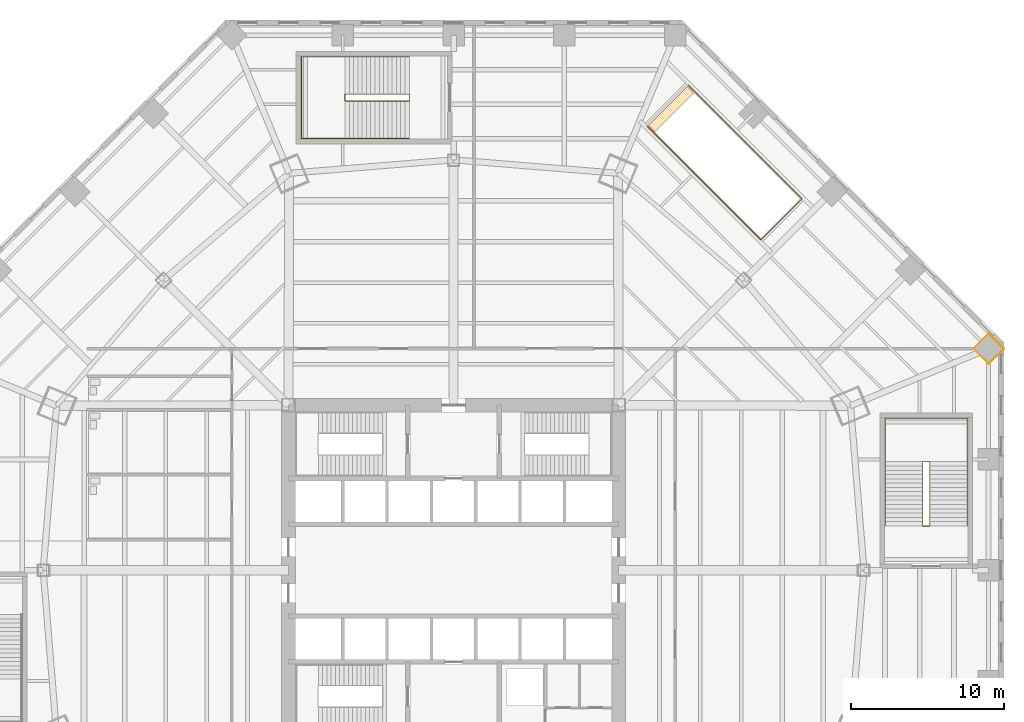
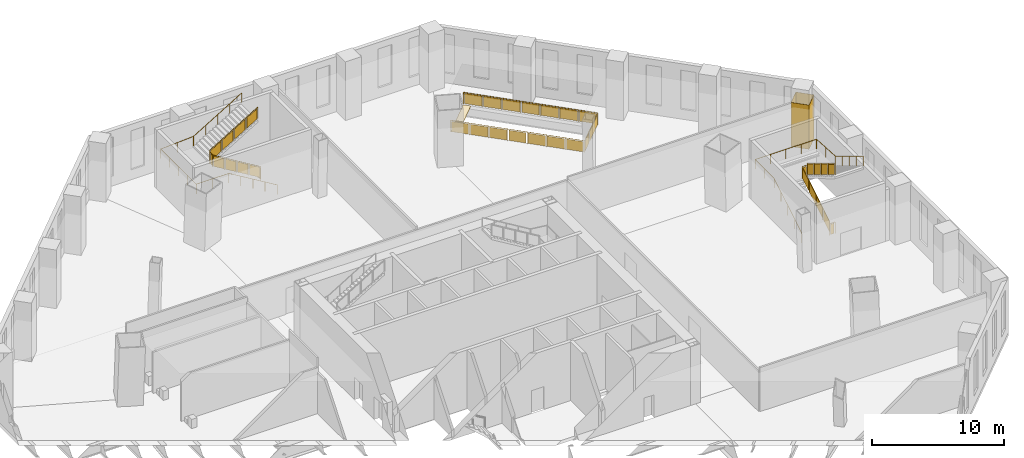
# One storey, part 17 of 18: 5 railings, 2 coverings.
"""IFC4 building model written with IfcOpenShell, lengths in metres."""

from ifc_helpers import new_model, si_unit, direction, frame, origin, origin_2d, place, context, subcontext, project, spatial, polyline, circle, outline, extrude, material, layer, layer_set, type_object, element, save


model = new_model("IFC4")

# Units and contexts
model_context = context("Model", 3, precision=1e-05, world=origin(), true_north=direction((0.0, 1.0)))
body_context = subcontext(model_context, "Body", "Model", "MODEL_VIEW")
ifc_project = project(units=[si_unit("LENGTHUNIT", "METRE"), si_unit("AREAUNIT", "SQUARE_METRE"), si_unit("VOLUMEUNIT", "CUBIC_METRE"), si_unit("PLANEANGLEUNIT", "RADIAN"), si_unit("MASSUNIT", "GRAM", prefix="KILO")], contexts=[model_context])

# Site, building, storey
site_placement = place(None, origin())
site = spatial("IfcSite", under=ifc_project, at=site_placement, CompositionType="ELEMENT")
building_placement = place(site_placement, origin())
building = spatial("IfcBuilding", under=site, at=building_placement, Name="Mashrafa Tower", CompositionType="ELEMENT")
storey_placement = place(building_placement, frame((0.0, 0.0, 13.199951171875)))
storey = spatial("IfcBuildingStorey", under=building, at=storey_placement, Name="L02", CompositionType="ELEMENT", Elevation=13.199951171875)

# Coverings
ifc_material_1 = material(Name="Gypsum board")
ifc_layer_1 = layer(ifc_material_1, 0.014892578125)
ifc_layer_set_1 = layer_set([ifc_layer_1], Name="Column casing plasterboard 15")
covering_type_1 = type_object("IfcCoveringType", Name="Column casing plasterboard 15", PredefinedType="CLADDING", material=ifc_layer_set_1)
covering_1_placement = place(storey_placement, origin())
element("IfcCovering", 1, at=covering_1_placement, inside=storey, type_object=covering_type_1, Name="Column casing L02-001", PredefinedType="CLADDING", context=body_context, shape_type="SweptSolid", body=[
    extrude(outline(polyline([(33.98876953125, 14.49755859375), (35.0, 15.508544921875), (36.01123046875, 14.49755859375), (35.0, 13.486328125), (33.98876953125, 14.49755859375)]), holes=[polyline([(35.989990234375, 14.49755859375), (35.0, 15.4873046875), (34.010009765625, 14.49755859375), (35.0, 13.507568359375), (35.989990234375, 14.49755859375)])]), origin(), (0.0, 0.0, 1.0), 4.0791015625),
])
ifc_material_2 = material(Name="Stainless steel chequer plate flooring", Category="steel")
ifc_layer_2 = layer(ifc_material_2, 0.050048828125)
ifc_layer_set_2 = layer_set([ifc_layer_2], Name="Escalator landing plate 50")
covering_type_2 = type_object("IfcCoveringType", Name="Escalator landing plate 50", PredefinedType="FLOORING", material=ifc_layer_set_2)
covering_2_placement = place(storey_placement, frame((0.0, 0.0, -0.050048828125)))
element("IfcCovering", 2, at=covering_2_placement, inside=storey, type_object=covering_type_2, Name="Escalator landing plate L02", PredefinedType="FLOORING", context=body_context, shape_type="SweptSolid", body=[
    extrude(outline(polyline([(13.1787109375, 28.681884765625), (15.724365234375, 31.2275390625), (15.30029296875, 31.651611328125), (12.754638671875, 29.106201171875), (13.1787109375, 28.681884765625)])), origin(), (0.0, 0.0, 1.0), 0.050048828125),
])

# Railings
ifc_material_3 = material(Name="Steel guard with glass infill", Category="steel")
railing_type_1 = type_object("IfcRailingType", Name="Opening guard 1100", PredefinedType="GUARDRAIL", material=ifc_material_3)
railing_1_placement = place(storey_placement, frame((12.683837890625, 29.035400390625, 0.0)))
element("IfcRailing", 3, at=railing_1_placement, inside=storey, type_object=railing_type_1, Name="Escalator opening guard L02", PredefinedType="GUARDRAIL", context=body_context, shape_type="SweptSolid", body=[
    extrude(circle(Radius=0.02392578125, at=origin_2d()), frame((0.0, 0.0, 1.076171875), z_axis=(0.707106781187, -0.707106781187, 0.0), x_axis=(0.707106781187, 0.707106781187, 0.0)), (0.0, 0.0, 1.0), 10.492431640625),
    extrude(circle(Radius=0.02392578125, at=origin_2d()), frame((7.419189453125, -7.419189453125, 1.076171875), z_axis=(0.707106781187, 0.707106781187, 0.0), x_axis=(-0.707106781187, 0.707106781187, 0.0)), (0.0, 0.0, 1.0), 3.800048828125),
    extrude(circle(Radius=0.02392578125, at=origin_2d()), frame((10.106201171875, -4.732177734375, 1.076171875), z_axis=(-0.707106781187, 0.707106781187, 0.0), x_axis=(-0.707106781187, -0.707106781187, 0.0)), (0.0, 0.0, 1.0), 10.492431640625),
    extrude(circle(Radius=0.02099609375, at=origin_2d()), origin(), (0.0, 0.0, 1.0), 1.052001953125),
    extrude(circle(Radius=0.02099609375, at=origin_2d()), frame((1.059814453125, -1.059814453125, 0.0)), (0.0, 0.0, 1.0), 1.052001953125),
    extrude(circle(Radius=0.02099609375, at=origin_2d()), frame((2.119873046875, -2.119873046875, 0.0)), (0.0, 0.0, 1.0), 1.052001953125),
    extrude(circle(Radius=0.02099609375, at=origin_2d()), frame((3.1796875, -3.1796875, 0.0)), (0.0, 0.0, 1.0), 1.052001953125),
    extrude(circle(Radius=0.02099609375, at=origin_2d()), frame((4.239501953125, -4.239501953125, 0.0)), (0.0, 0.0, 1.0), 1.052001953125),
    extrude(circle(Radius=0.02099609375, at=origin_2d()), frame((5.29931640625, -5.29931640625, 0.0)), (0.0, 0.0, 1.0), 1.052001953125),
    extrude(circle(Radius=0.02099609375, at=origin_2d()), frame((6.359375, -6.359375, 0.0)), (0.0, 0.0, 1.0), 1.052001953125),
    extrude(circle(Radius=0.02099609375, at=origin_2d()), frame((7.419189453125, -7.419189453125, 0.0)), (0.0, 0.0, 1.0), 1.052001953125),
    extrude(circle(Radius=0.02099609375, at=origin_2d()), frame((8.31494140625, -6.5234375, 0.0)), (0.0, 0.0, 1.0), 1.052001953125),
    extrude(circle(Radius=0.02099609375, at=origin_2d()), frame((9.21044921875, -5.6279296875, 0.0)), (0.0, 0.0, 1.0), 1.052001953125),
    extrude(circle(Radius=0.02099609375, at=origin_2d()), frame((10.106201171875, -4.732177734375, 0.0)), (0.0, 0.0, 1.0), 1.052001953125),
    extrude(circle(Radius=0.02099609375, at=origin_2d()), frame((9.04638671875, -3.67236328125, 0.0)), (0.0, 0.0, 1.0), 1.052001953125),
    extrude(circle(Radius=0.02099609375, at=origin_2d()), frame((7.986328125, -2.6123046875, 0.0)), (0.0, 0.0, 1.0), 1.052001953125),
    extrude(circle(Radius=0.02099609375, at=origin_2d()), frame((6.926513671875, -1.552490234375, 0.0)), (0.0, 0.0, 1.0), 1.052001953125),
    extrude(circle(Radius=0.02099609375, at=origin_2d()), frame((5.86669921875, -0.49267578125, 0.0)), (0.0, 0.0, 1.0), 1.052001953125),
    extrude(circle(Radius=0.02099609375, at=origin_2d()), frame((4.806884765625, 0.567138671875, 0.0)), (0.0, 0.0, 1.0), 1.052001953125),
    extrude(circle(Radius=0.02099609375, at=origin_2d()), frame((3.746826171875, 1.627197265625, 0.0)), (0.0, 0.0, 1.0), 1.052001953125),
    extrude(circle(Radius=0.02099609375, at=origin_2d()), frame((2.68701171875, 2.68701171875, 0.0)), (0.0, 0.0, 1.0), 1.052001953125),
    extrude(outline(polyline([(0.071044921875, 0.050048828125), (1.427978515625, 0.050048828125), (1.427978515625, 1.001953125), (0.071044921875, 1.001953125), (0.071044921875, 0.050048828125)])), frame((-0.004150390625, -0.004150390625, 0.0), z_axis=(-0.707106781187, -0.707106781187, 0.0), x_axis=(0.707106781187, -0.707106781187, 0.0)), (0.0, 0.0, 1.0), 0.011962890625),
    extrude(outline(polyline([(1.56982421875, 0.050048828125), (2.9267578125, 0.050048828125), (2.9267578125, 1.001953125), (1.56982421875, 1.001953125), (1.56982421875, 0.050048828125)])), frame((-0.004150390625, -0.004150390625, 0.0), z_axis=(-0.707106781187, -0.707106781187, 0.0), x_axis=(0.707106781187, -0.707106781187, 0.0)), (0.0, 0.0, 1.0), 0.011962890625),
    extrude(outline(polyline([(3.06884765625, 0.050048828125), (4.42578125, 0.050048828125), (4.42578125, 1.001953125), (3.06884765625, 1.001953125), (3.06884765625, 0.050048828125)])), frame((-0.004150390625, -0.004150390625, 0.0), z_axis=(-0.707106781187, -0.707106781187, 0.0), x_axis=(0.707106781187, -0.707106781187, 0.0)), (0.0, 0.0, 1.0), 0.011962890625),
    extrude(outline(polyline([(4.567626953125, 0.050048828125), (5.924560546875, 0.050048828125), (5.924560546875, 1.001953125), (4.567626953125, 1.001953125), (4.567626953125, 0.050048828125)])), frame((-0.004150390625, -0.004150390625, 0.0), z_axis=(-0.707106781187, -0.707106781187, 0.0), x_axis=(0.707106781187, -0.707106781187, 0.0)), (0.0, 0.0, 1.0), 0.011962890625),
    extrude(outline(polyline([(6.066650390625, 0.050048828125), (7.423583984375, 0.050048828125), (7.423583984375, 1.001953125), (6.066650390625, 1.001953125), (6.066650390625, 0.050048828125)])), frame((-0.004150390625, -0.004150390625, 0.0), z_axis=(-0.707106781187, -0.707106781187, 0.0), x_axis=(0.707106781187, -0.707106781187, 0.0)), (0.0, 0.0, 1.0), 0.011962890625),
    extrude(outline(polyline([(7.5654296875, 0.050048828125), (8.92236328125, 0.050048828125), (8.92236328125, 1.001953125), (7.5654296875, 1.001953125), (7.5654296875, 0.050048828125)])), frame((-0.004150390625, -0.004150390625, 0.0), z_axis=(-0.707106781187, -0.707106781187, 0.0), x_axis=(0.707106781187, -0.707106781187, 0.0)), (0.0, 0.0, 1.0), 0.011962890625),
    extrude(outline(polyline([(9.064453125, 0.050048828125), (10.42138671875, 0.050048828125), (10.42138671875, 1.001953125), (9.064453125, 1.001953125), (9.064453125, 0.050048828125)])), frame((-0.004150390625, -0.004150390625, 0.0), z_axis=(-0.707106781187, -0.707106781187, 0.0), x_axis=(0.707106781187, -0.707106781187, 0.0)), (0.0, 0.0, 1.0), 0.011962890625),
    extrude(outline(polyline([(0.071044921875, 0.050048828125), (1.195556640625, 0.050048828125), (1.195556640625, 1.001953125), (0.071044921875, 1.001953125), (0.071044921875, 0.050048828125)])), frame((7.42333984375, -7.42333984375, 0.0), z_axis=(0.707106781187, -0.707106781187, 0.0), x_axis=(0.707106781187, 0.707106781187, 0.0)), (0.0, 0.0, 1.0), 0.011962890625),
    extrude(outline(polyline([(1.337646484375, 0.050048828125), (2.46240234375, 0.050048828125), (2.46240234375, 1.001953125), (1.337646484375, 1.001953125), (1.337646484375, 0.050048828125)])), frame((7.42333984375, -7.42333984375, 0.0), z_axis=(0.707106781187, -0.707106781187, 0.0), x_axis=(0.707106781187, 0.707106781187, 0.0)), (0.0, 0.0, 1.0), 0.011962890625),
    extrude(outline(polyline([(2.604248046875, 0.050048828125), (3.72900390625, 0.050048828125), (3.72900390625, 1.001953125), (2.604248046875, 1.001953125), (2.604248046875, 0.050048828125)])), frame((7.42333984375, -7.42333984375, 0.0), z_axis=(0.707106781187, -0.707106781187, 0.0), x_axis=(0.707106781187, 0.707106781187, 0.0)), (0.0, 0.0, 1.0), 0.011962890625),
    extrude(outline(polyline([(0.071044921875, 0.050048828125), (1.427978515625, 0.050048828125), (1.427978515625, 1.001953125), (0.071044921875, 1.001953125), (0.071044921875, 0.050048828125)])), frame((10.1103515625, -4.72802734375, 0.0), z_axis=(0.707106781187, 0.707106781187, 0.0), x_axis=(-0.707106781187, 0.707106781187, 0.0)), (0.0, 0.0, 1.0), 0.011962890625),
    extrude(outline(polyline([(1.56982421875, 0.050048828125), (2.9267578125, 0.050048828125), (2.9267578125, 1.001953125), (1.56982421875, 1.001953125), (1.56982421875, 0.050048828125)])), frame((10.1103515625, -4.72802734375, 0.0), z_axis=(0.707106781187, 0.707106781187, 0.0), x_axis=(-0.707106781187, 0.707106781187, 0.0)), (0.0, 0.0, 1.0), 0.011962890625),
    extrude(outline(polyline([(3.06884765625, 0.050048828125), (4.42578125, 0.050048828125), (4.42578125, 1.001953125), (3.06884765625, 1.001953125), (3.06884765625, 0.050048828125)])), frame((10.1103515625, -4.72802734375, 0.0), z_axis=(0.707106781187, 0.707106781187, 0.0), x_axis=(-0.707106781187, 0.707106781187, 0.0)), (0.0, 0.0, 1.0), 0.011962890625),
    extrude(outline(polyline([(4.567626953125, 0.050048828125), (5.924560546875, 0.050048828125), (5.924560546875, 1.001953125), (4.567626953125, 1.001953125), (4.567626953125, 0.050048828125)])), frame((10.1103515625, -4.72802734375, 0.0), z_axis=(0.707106781187, 0.707106781187, 0.0), x_axis=(-0.707106781187, 0.707106781187, 0.0)), (0.0, 0.0, 1.0), 0.011962890625),
    extrude(outline(polyline([(6.066650390625, 0.050048828125), (7.423583984375, 0.050048828125), (7.423583984375, 1.001953125), (6.066650390625, 1.001953125), (6.066650390625, 0.050048828125)])), frame((10.1103515625, -4.72802734375, 0.0), z_axis=(0.707106781187, 0.707106781187, 0.0), x_axis=(-0.707106781187, 0.707106781187, 0.0)), (0.0, 0.0, 1.0), 0.011962890625),
    extrude(outline(polyline([(7.5654296875, 0.050048828125), (8.92236328125, 0.050048828125), (8.92236328125, 1.001953125), (7.5654296875, 1.001953125), (7.5654296875, 0.050048828125)])), frame((10.1103515625, -4.72802734375, 0.0), z_axis=(0.707106781187, 0.707106781187, 0.0), x_axis=(-0.707106781187, 0.707106781187, 0.0)), (0.0, 0.0, 1.0), 0.011962890625),
    extrude(outline(polyline([(9.064453125, 0.050048828125), (10.42138671875, 0.050048828125), (10.42138671875, 1.001953125), (9.064453125, 1.001953125), (9.064453125, 0.050048828125)])), frame((10.1103515625, -4.72802734375, 0.0), z_axis=(0.707106781187, 0.707106781187, 0.0), x_axis=(-0.707106781187, 0.707106781187, 0.0)), (0.0, 0.0, 1.0), 0.011962890625),
])
ifc_material_4 = material(Name="Steel guard with glass infill", Category="steel")
railing_type_2 = type_object("IfcRailingType", Name="Stair guard 1100", PredefinedType="GUARDRAIL", material=ifc_material_4)
railing_2_placement = place(storey_placement, frame((31.14990234375, 2.89990234375, 0.0)))
element("IfcRailing", 4, at=railing_2_placement, inside=storey, type_object=railing_type_2, Name="Stair P1 guard L02", PredefinedType="GUARDRAIL", context=body_context, shape_type="SweptSolid", body=[
    extrude(circle(Radius=0.02392578125, at=origin_2d()), frame((0.0, 0.0, 1.076171875), z_axis=(-1.0, 0.0, 0.0), x_axis=(0.0, -1.0, 0.0)), (0.0, 0.0, 1.0), 0.449951171875),
    extrude(circle(Radius=0.02392578125, at=origin_2d()), frame((-0.449951171875, 0.0, 1.076171875), z_axis=(0.0, 0.0, 1.0), x_axis=(1.0, 0.0, 0.0)), (0.0, 0.0, 1.0), 0.168701171875),
    extrude(circle(Radius=0.02392578125, at=origin_2d()), frame((-0.449951171875, 0.0, 1.24462890625), z_axis=(0.0, 0.856489757249, 0.516164020179), x_axis=(-1.0, 0.0, 0.0)), (0.0, 0.0, 1.0), 4.904052734375),
    extrude(circle(Radius=0.02392578125, at=origin_2d()), frame((-0.449951171875, 4.2001953125, 3.77587890625), z_axis=(1.0, 0.0, 0.0), x_axis=(0.0, 1.0, 0.0)), (0.0, 0.0, 1.0), 0.449951171875),
    extrude(circle(Radius=0.02392578125, at=origin_2d()), frame((0.0, 4.2001953125, 3.77587890625), z_axis=(0.0, 0.0, 1.0), x_axis=(1.0, 0.0, 0.0)), (0.0, 0.0, 1.0), 0.168701171875),
    extrude(circle(Radius=0.02392578125, at=origin_2d()), frame((0.0, 4.2001953125, 3.94482421875), z_axis=(0.0, -0.856467747918, 0.516200539303), x_axis=(1.0, 0.0, 0.0)), (0.0, 0.0, 1.0), 4.904052734375),
    extrude(circle(Radius=0.02099609375, at=origin_2d()), origin(), (0.0, 0.0, 1.0), 1.052001953125),
    extrude(circle(Radius=0.02099609375, at=origin_2d()), frame((-0.449951171875, 0.0, 0.0)), (0.0, 0.0, 1.0), 1.052001953125),
    extrude(circle(Radius=0.02099609375, at=origin_2d()), frame((-0.449951171875, 0.0, 0.168701171875)), (0.0, 0.0, 1.0), 1.052001953125),
    extrude(circle(Radius=0.02099609375, at=origin_2d()), frame((-0.449951171875, 1.050048828125, 0.801513671875)), (0.0, 0.0, 1.0), 1.052001953125),
    extrude(circle(Radius=0.02099609375, at=origin_2d()), frame((-0.449951171875, 2.10009765625, 1.434326171875)), (0.0, 0.0, 1.0), 1.052001953125),
    extrude(circle(Radius=0.02099609375, at=origin_2d()), frame((-0.449951171875, 3.150146484375, 2.067138671875)), (0.0, 0.0, 1.0), 1.052001953125),
    extrude(circle(Radius=0.02099609375, at=origin_2d()), frame((-0.449951171875, 4.2001953125, 2.699951171875)), (0.0, 0.0, 1.0), 1.052001953125),
    extrude(circle(Radius=0.02099609375, at=origin_2d()), frame((0.0, 4.2001953125, 2.699951171875)), (0.0, 0.0, 1.0), 1.052001953125),
    extrude(circle(Radius=0.02099609375, at=origin_2d()), frame((0.0, 4.2001953125, 2.86865234375)), (0.0, 0.0, 1.0), 1.052001953125),
    extrude(circle(Radius=0.02099609375, at=origin_2d()), frame((0.0, 3.150146484375, 3.50146484375)), (0.0, 0.0, 1.0), 1.052001953125),
    extrude(circle(Radius=0.02099609375, at=origin_2d()), frame((0.0, 2.10009765625, 4.13427734375)), (0.0, 0.0, 1.0), 1.052001953125),
    extrude(circle(Radius=0.02099609375, at=origin_2d()), frame((0.0, 1.050048828125, 4.767333984375)), (0.0, 0.0, 1.0), 1.052001953125),
    extrude(circle(Radius=0.02099609375, at=origin_2d()), frame((0.0, 0.0, 5.400146484375)), (0.0, 0.0, 1.0), 1.052001953125),
    extrude(outline(polyline([(0.071044921875, 0.050048828125), (0.37890625, 0.050048828125), (0.37890625, 1.001953125), (0.071044921875, 1.001953125), (0.071044921875, 0.050048828125)])), frame((0.0, 0.006103515625, 0.0), z_axis=(0.0, 1.0, 0.0), x_axis=(-1.0, 0.0, 0.0)), (0.0, 0.0, 1.0), 0.011962890625),
    extrude(outline(polyline([(0.071044921875, 0.0927734375), (0.97900390625, 0.64013671875), (0.97900390625, 1.592041015625), (0.071044921875, 1.044677734375), (0.071044921875, 0.0927734375)])), frame((-0.44384765625, 0.0, 0.168701171875), z_axis=(1.0, 0.0, 0.0), x_axis=(0.0, 1.0, 0.0)), (0.0, 0.0, 1.0), 0.011962890625),
    extrude(outline(polyline([(1.12109375, 0.7255859375), (2.029052734375, 1.27294921875), (2.029052734375, 2.224853515625), (1.12109375, 1.677490234375), (1.12109375, 0.7255859375)])), frame((-0.44384765625, 0.0, 0.168701171875), z_axis=(1.0, 0.0, 0.0), x_axis=(0.0, 1.0, 0.0)), (0.0, 0.0, 1.0), 0.011962890625),
    extrude(outline(polyline([(2.171142578125, 1.3583984375), (3.0791015625, 1.90576171875), (3.0791015625, 2.857666015625), (2.171142578125, 2.310302734375), (2.171142578125, 1.3583984375)])), frame((-0.44384765625, 0.0, 0.168701171875), z_axis=(1.0, 0.0, 0.0), x_axis=(0.0, 1.0, 0.0)), (0.0, 0.0, 1.0), 0.011962890625),
    extrude(outline(polyline([(3.22119140625, 1.9912109375), (4.129150390625, 2.53857421875), (4.129150390625, 3.490478515625), (3.22119140625, 2.943115234375), (3.22119140625, 1.9912109375)])), frame((-0.44384765625, 0.0, 0.168701171875), z_axis=(1.0, 0.0, 0.0), x_axis=(0.0, 1.0, 0.0)), (0.0, 0.0, 1.0), 0.011962890625),
    extrude(outline(polyline([(0.071044921875, 0.050048828125), (0.37890625, 0.050048828125), (0.37890625, 1.001953125), (0.071044921875, 1.001953125), (0.071044921875, 0.050048828125)])), frame((-0.449951171875, 4.194091796875, 2.699951171875), z_axis=(0.0, -1.0, 0.0), x_axis=(1.0, 0.0, 0.0)), (0.0, 0.0, 1.0), 0.011962890625),
    extrude(outline(polyline([(0.071044921875, 0.0927734375), (0.97900390625, 0.64013671875), (0.97900390625, 1.592041015625), (0.071044921875, 1.044677734375), (0.071044921875, 0.0927734375)])), frame((-0.006103515625, 4.2001953125, 2.86865234375), z_axis=(-1.0, 0.0, 0.0), x_axis=(0.0, -1.0, 0.0)), (0.0, 0.0, 1.0), 0.011962890625),
    extrude(outline(polyline([(1.12109375, 0.7255859375), (2.029052734375, 1.27294921875), (2.029052734375, 2.224853515625), (1.12109375, 1.677734375), (1.12109375, 0.7255859375)])), frame((-0.006103515625, 4.2001953125, 2.86865234375), z_axis=(-1.0, 0.0, 0.0), x_axis=(0.0, -1.0, 0.0)), (0.0, 0.0, 1.0), 0.011962890625),
    extrude(outline(polyline([(2.171142578125, 1.358642578125), (3.0791015625, 1.90576171875), (3.0791015625, 2.85791015625), (2.171142578125, 2.310546875), (2.171142578125, 1.358642578125)])), frame((-0.006103515625, 4.2001953125, 2.86865234375), z_axis=(-1.0, 0.0, 0.0), x_axis=(0.0, -1.0, 0.0)), (0.0, 0.0, 1.0), 0.011962890625),
    extrude(outline(polyline([(3.22119140625, 1.991455078125), (4.129150390625, 2.538818359375), (4.129150390625, 3.49072265625), (3.22119140625, 2.943359375), (3.22119140625, 1.991455078125)])), frame((-0.006103515625, 4.2001953125, 2.86865234375), z_axis=(-1.0, 0.0, 0.0), x_axis=(0.0, -1.0, 0.0)), (0.0, 0.0, 1.0), 0.011962890625),
])
railing_3_placement = place(storey_placement, frame((-2.89990234375, 31.14990234375, 0.0)))
element("IfcRailing", 5, at=railing_3_placement, inside=storey, type_object=railing_type_2, Name="Stair P2 guard L02", PredefinedType="GUARDRAIL", context=body_context, shape_type="SweptSolid", body=[
    extrude(circle(Radius=0.02392578125, at=origin_2d()), frame((0.0, 0.0, 1.076171875), z_axis=(0.0, -1.0, 0.0), x_axis=(1.0, 0.0, 0.0)), (0.0, 0.0, 1.0), 0.449951171875),
    extrude(circle(Radius=0.02392578125, at=origin_2d()), frame((0.0, -0.449951171875, 1.076171875), z_axis=(0.0, 0.0, 1.0), x_axis=(1.0, 0.0, 0.0)), (0.0, 0.0, 1.0), 0.168701171875),
    extrude(circle(Radius=0.02392578125, at=origin_2d()), frame((0.0, -0.449951171875, 1.24462890625), z_axis=(-0.856489757249, 0.0, 0.516164020179), x_axis=(0.0, -1.0, 0.0)), (0.0, 0.0, 1.0), 4.904052734375),
    extrude(circle(Radius=0.02392578125, at=origin_2d()), frame((-4.2001953125, -0.449951171875, 3.77587890625), z_axis=(0.0, 1.0, 0.0), x_axis=(-1.0, 0.0, 0.0)), (0.0, 0.0, 1.0), 0.449951171875),
    extrude(circle(Radius=0.02392578125, at=origin_2d()), frame((-4.2001953125, 0.0, 3.77587890625), z_axis=(0.0, 0.0, 1.0), x_axis=(1.0, 0.0, 0.0)), (0.0, 0.0, 1.0), 0.168701171875),
    extrude(circle(Radius=0.02392578125, at=origin_2d()), frame((-4.2001953125, 0.0, 3.94482421875), z_axis=(0.856467747918, 0.0, 0.516200539303), x_axis=(0.0, 1.0, 0.0)), (0.0, 0.0, 1.0), 4.904052734375),
    extrude(circle(Radius=0.02099609375, at=origin_2d()), origin(), (0.0, 0.0, 1.0), 1.052001953125),
    extrude(circle(Radius=0.02099609375, at=origin_2d()), frame((0.0, -0.449951171875, 0.0)), (0.0, 0.0, 1.0), 1.052001953125),
    extrude(circle(Radius=0.02099609375, at=origin_2d()), frame((0.0, -0.449951171875, 0.168701171875)), (0.0, 0.0, 1.0), 1.052001953125),
    extrude(circle(Radius=0.02099609375, at=origin_2d()), frame((-1.050048828125, -0.449951171875, 0.801513671875)), (0.0, 0.0, 1.0), 1.052001953125),
    extrude(circle(Radius=0.02099609375, at=origin_2d()), frame((-2.10009765625, -0.449951171875, 1.434326171875)), (0.0, 0.0, 1.0), 1.052001953125),
    extrude(circle(Radius=0.02099609375, at=origin_2d()), frame((-3.150146484375, -0.449951171875, 2.067138671875)), (0.0, 0.0, 1.0), 1.052001953125),
    extrude(circle(Radius=0.02099609375, at=origin_2d()), frame((-4.2001953125, -0.449951171875, 2.699951171875)), (0.0, 0.0, 1.0), 1.052001953125),
    extrude(circle(Radius=0.02099609375, at=origin_2d()), frame((-4.2001953125, 0.0, 2.699951171875)), (0.0, 0.0, 1.0), 1.052001953125),
    extrude(circle(Radius=0.02099609375, at=origin_2d()), frame((-4.2001953125, 0.0, 2.86865234375)), (0.0, 0.0, 1.0), 1.052001953125),
    extrude(circle(Radius=0.02099609375, at=origin_2d()), frame((-3.150146484375, 0.0, 3.50146484375)), (0.0, 0.0, 1.0), 1.052001953125),
    extrude(circle(Radius=0.02099609375, at=origin_2d()), frame((-2.10009765625, 0.0, 4.13427734375)), (0.0, 0.0, 1.0), 1.052001953125),
    extrude(circle(Radius=0.02099609375, at=origin_2d()), frame((-1.050048828125, 0.0, 4.767333984375)), (0.0, 0.0, 1.0), 1.052001953125),
    extrude(circle(Radius=0.02099609375, at=origin_2d()), frame((0.0, 0.0, 5.400146484375)), (0.0, 0.0, 1.0), 1.052001953125),
    extrude(outline(polyline([(0.071044921875, 0.050048828125), (0.37890625, 0.050048828125), (0.37890625, 1.001953125), (0.071044921875, 1.001953125), (0.071044921875, 0.050048828125)])), frame((-0.006103515625, 0.0, 0.0), z_axis=(-1.0, 0.0, 0.0), x_axis=(0.0, -1.0, 0.0)), (0.0, 0.0, 1.0), 0.011962890625),
    extrude(outline(polyline([(0.071044921875, 0.0927734375), (0.97900390625, 0.64013671875), (0.97900390625, 1.592041015625), (0.071044921875, 1.044677734375), (0.071044921875, 0.0927734375)])), frame((0.0, -0.44384765625, 0.168701171875), z_axis=(0.0, 1.0, 0.0), x_axis=(-1.0, 0.0, 0.0)), (0.0, 0.0, 1.0), 0.011962890625),
    extrude(outline(polyline([(1.12109375, 0.7255859375), (2.029052734375, 1.27294921875), (2.029052734375, 2.224853515625), (1.12109375, 1.677490234375), (1.12109375, 0.7255859375)])), frame((0.0, -0.44384765625, 0.168701171875), z_axis=(0.0, 1.0, 0.0), x_axis=(-1.0, 0.0, 0.0)), (0.0, 0.0, 1.0), 0.011962890625),
    extrude(outline(polyline([(2.171142578125, 1.3583984375), (3.0791015625, 1.90576171875), (3.0791015625, 2.857666015625), (2.171142578125, 2.310302734375), (2.171142578125, 1.3583984375)])), frame((0.0, -0.44384765625, 0.168701171875), z_axis=(0.0, 1.0, 0.0), x_axis=(-1.0, 0.0, 0.0)), (0.0, 0.0, 1.0), 0.011962890625),
    extrude(outline(polyline([(3.22119140625, 1.9912109375), (4.129150390625, 2.53857421875), (4.129150390625, 3.490478515625), (3.22119140625, 2.943115234375), (3.22119140625, 1.9912109375)])), frame((0.0, -0.44384765625, 0.168701171875), z_axis=(0.0, 1.0, 0.0), x_axis=(-1.0, 0.0, 0.0)), (0.0, 0.0, 1.0), 0.011962890625),
    extrude(outline(polyline([(0.071044921875, 0.050048828125), (0.37890625, 0.050048828125), (0.37890625, 1.001953125), (0.071044921875, 1.001953125), (0.071044921875, 0.050048828125)])), frame((-4.194091796875, -0.449951171875, 2.699951171875), z_axis=(1.0, 0.0, 0.0), x_axis=(0.0, 1.0, 0.0)), (0.0, 0.0, 1.0), 0.011962890625),
    extrude(outline(polyline([(0.071044921875, 0.0927734375), (0.97900390625, 0.64013671875), (0.97900390625, 1.592041015625), (0.071044921875, 1.044677734375), (0.071044921875, 0.0927734375)])), frame((-4.2001953125, -0.006103515625, 2.86865234375), z_axis=(0.0, -1.0, 0.0), x_axis=(1.0, 0.0, 0.0)), (0.0, 0.0, 1.0), 0.011962890625),
    extrude(outline(polyline([(1.12109375, 0.7255859375), (2.029052734375, 1.27294921875), (2.029052734375, 2.224853515625), (1.12109375, 1.677734375), (1.12109375, 0.7255859375)])), frame((-4.2001953125, -0.006103515625, 2.86865234375), z_axis=(0.0, -1.0, 0.0), x_axis=(1.0, 0.0, 0.0)), (0.0, 0.0, 1.0), 0.011962890625),
    extrude(outline(polyline([(2.171142578125, 1.358642578125), (3.0791015625, 1.90576171875), (3.0791015625, 2.85791015625), (2.171142578125, 2.310546875), (2.171142578125, 1.358642578125)])), frame((-4.2001953125, -0.006103515625, 2.86865234375), z_axis=(0.0, -1.0, 0.0), x_axis=(1.0, 0.0, 0.0)), (0.0, 0.0, 1.0), 0.011962890625),
    extrude(outline(polyline([(3.22119140625, 1.991455078125), (4.129150390625, 2.538818359375), (4.129150390625, 3.49072265625), (3.22119140625, 2.943359375), (3.22119140625, 1.991455078125)])), frame((-4.2001953125, -0.006103515625, 2.86865234375), z_axis=(0.0, -1.0, 0.0), x_axis=(1.0, 0.0, 0.0)), (0.0, 0.0, 1.0), 0.011962890625),
])
ifc_material_5 = material(Name="Steel", Category="steel")
railing_type_3 = type_object("IfcRailingType", Name="Stair handrail 900", PredefinedType="HANDRAIL", material=ifc_material_5)
railing_4_placement = place(storey_placement, frame((28.25, 2.89990234375, 0.168701171875)))
element("IfcRailing", 6, at=railing_4_placement, inside=storey, type_object=railing_type_3, Name="Stair P1 handrail L02", PredefinedType="HANDRAIL", context=body_context, shape_type="SweptSolid", body=[
    extrude(circle(Radius=0.02392578125, at=origin_2d()), frame((0.0, 0.0, 0.8759765625), z_axis=(0.0, 0.856489757249, 0.516164020179), x_axis=(-1.0, 0.0, 0.0)), (0.0, 0.0, 1.0), 4.904052734375),
    extrude(circle(Radius=0.02392578125, at=origin_2d()), frame((0.0, 4.2001953125, 3.4072265625), z_axis=(0.0, 1.0, 0.0), x_axis=(-1.0, 0.0, 0.0)), (0.0, 0.0, 1.0), 2.849853515625),
    extrude(circle(Radius=0.02392578125, at=origin_2d()), frame((0.0, 7.050048828125, 3.4072265625), z_axis=(1.0, 0.0, 0.0), x_axis=(0.0, 1.0, 0.0)), (0.0, 0.0, 1.0), 5.35009765625),
    extrude(circle(Radius=0.02392578125, at=origin_2d()), frame((5.35009765625, 7.050048828125, 3.4072265625), z_axis=(0.0, -0.998252482393, 0.059092989406), x_axis=(1.0, 0.0, 0.0)), (0.0, 0.0, 1.0), 2.854736328125),
    extrude(circle(Radius=0.02392578125, at=origin_2d()), frame((5.35009765625, 4.2001953125, 3.57568359375), z_axis=(0.0, -0.856467747918, 0.516200539303), x_axis=(1.0, 0.0, 0.0)), (0.0, 0.0, 1.0), 4.904052734375),
    extrude(circle(Radius=0.02099609375, at=origin_2d()), origin(), (0.0, 0.0, 1.0), 0.851806640625),
    extrude(circle(Radius=0.02099609375, at=origin_2d()), frame((0.0, 1.050048828125, 0.6328125)), (0.0, 0.0, 1.0), 0.851806640625),
    extrude(circle(Radius=0.02099609375, at=origin_2d()), frame((0.0, 2.10009765625, 1.265625)), (0.0, 0.0, 1.0), 0.851806640625),
    extrude(circle(Radius=0.02099609375, at=origin_2d()), frame((0.0, 3.150146484375, 1.8984375)), (0.0, 0.0, 1.0), 0.851806640625),
    extrude(circle(Radius=0.02099609375, at=origin_2d()), frame((0.0, 4.2001953125, 2.53125)), (0.0, 0.0, 1.0), 0.851806640625),
    extrude(circle(Radius=0.02099609375, at=origin_2d()), frame((0.0, 5.625, 2.53125)), (0.0, 0.0, 1.0), 0.851806640625),
    extrude(circle(Radius=0.02099609375, at=origin_2d()), frame((0.0, 7.050048828125, 2.53125)), (0.0, 0.0, 1.0), 0.851806640625),
    extrude(circle(Radius=0.02099609375, at=origin_2d()), frame((1.33740234375, 7.050048828125, 2.53125)), (0.0, 0.0, 1.0), 0.851806640625),
    extrude(circle(Radius=0.02099609375, at=origin_2d()), frame((2.675048828125, 7.050048828125, 2.53125)), (0.0, 0.0, 1.0), 0.851806640625),
    extrude(circle(Radius=0.02099609375, at=origin_2d()), frame((4.0126953125, 7.050048828125, 2.53125)), (0.0, 0.0, 1.0), 0.851806640625),
    extrude(circle(Radius=0.02099609375, at=origin_2d()), frame((5.35009765625, 7.050048828125, 2.53125)), (0.0, 0.0, 1.0), 0.851806640625),
    extrude(circle(Radius=0.02099609375, at=origin_2d()), frame((5.35009765625, 5.625, 2.61572265625)), (0.0, 0.0, 1.0), 0.851806640625),
    extrude(circle(Radius=0.02099609375, at=origin_2d()), frame((5.35009765625, 4.2001953125, 2.699951171875)), (0.0, 0.0, 1.0), 0.851806640625),
    extrude(circle(Radius=0.02099609375, at=origin_2d()), frame((5.35009765625, 3.150146484375, 3.332763671875)), (0.0, 0.0, 1.0), 0.851806640625),
    extrude(circle(Radius=0.02099609375, at=origin_2d()), frame((5.35009765625, 2.10009765625, 3.9658203125)), (0.0, 0.0, 1.0), 0.851806640625),
    extrude(circle(Radius=0.02099609375, at=origin_2d()), frame((5.35009765625, 1.050048828125, 4.5986328125)), (0.0, 0.0, 1.0), 0.851806640625),
    extrude(circle(Radius=0.02099609375, at=origin_2d()), frame((5.35009765625, 0.0, 5.2314453125)), (0.0, 0.0, 1.0), 0.851806640625),
])
railing_5_placement = place(storey_placement, frame((-2.89990234375, 28.25, 0.168701171875)))
element("IfcRailing", 7, at=railing_5_placement, inside=storey, type_object=railing_type_3, Name="Stair P2 handrail L02", PredefinedType="HANDRAIL", context=body_context, shape_type="SweptSolid", body=[
    extrude(circle(Radius=0.02392578125, at=origin_2d()), frame((0.0, 0.0, 0.8759765625), z_axis=(-0.856489757249, 0.0, 0.516164020179), x_axis=(0.0, -1.0, 0.0)), (0.0, 0.0, 1.0), 4.904052734375),
    extrude(circle(Radius=0.02392578125, at=origin_2d()), frame((-4.2001953125, 0.0, 3.4072265625), z_axis=(-1.0, 0.0, 0.0), x_axis=(0.0, -1.0, 0.0)), (0.0, 0.0, 1.0), 2.849853515625),
    extrude(circle(Radius=0.02392578125, at=origin_2d()), frame((-7.050048828125, 0.0, 3.4072265625), z_axis=(0.0, 1.0, 0.0), x_axis=(-1.0, 0.0, 0.0)), (0.0, 0.0, 1.0), 5.35009765625),
    extrude(circle(Radius=0.02392578125, at=origin_2d()), frame((-7.050048828125, 5.35009765625, 3.4072265625), z_axis=(0.998252482393, 0.0, 0.059092989406), x_axis=(0.0, 1.0, 0.0)), (0.0, 0.0, 1.0), 2.854736328125),
    extrude(circle(Radius=0.02392578125, at=origin_2d()), frame((-4.2001953125, 5.35009765625, 3.57568359375), z_axis=(0.856467747918, 0.0, 0.516200539303), x_axis=(0.0, 1.0, 0.0)), (0.0, 0.0, 1.0), 4.904052734375),
    extrude(circle(Radius=0.02099609375, at=origin_2d()), origin(), (0.0, 0.0, 1.0), 0.851806640625),
    extrude(circle(Radius=0.02099609375, at=origin_2d()), frame((-1.050048828125, 0.0, 0.6328125)), (0.0, 0.0, 1.0), 0.851806640625),
    extrude(circle(Radius=0.02099609375, at=origin_2d()), frame((-2.10009765625, 0.0, 1.265625)), (0.0, 0.0, 1.0), 0.851806640625),
    extrude(circle(Radius=0.02099609375, at=origin_2d()), frame((-3.150146484375, 0.0, 1.8984375)), (0.0, 0.0, 1.0), 0.851806640625),
    extrude(circle(Radius=0.02099609375, at=origin_2d()), frame((-4.2001953125, 0.0, 2.53125)), (0.0, 0.0, 1.0), 0.851806640625),
    extrude(circle(Radius=0.02099609375, at=origin_2d()), frame((-5.625, 0.0, 2.53125)), (0.0, 0.0, 1.0), 0.851806640625),
    extrude(circle(Radius=0.02099609375, at=origin_2d()), frame((-7.050048828125, 0.0, 2.53125)), (0.0, 0.0, 1.0), 0.851806640625),
    extrude(circle(Radius=0.02099609375, at=origin_2d()), frame((-7.050048828125, 1.33740234375, 2.53125)), (0.0, 0.0, 1.0), 0.851806640625),
    extrude(circle(Radius=0.02099609375, at=origin_2d()), frame((-7.050048828125, 2.675048828125, 2.53125)), (0.0, 0.0, 1.0), 0.851806640625),
    extrude(circle(Radius=0.02099609375, at=origin_2d()), frame((-7.050048828125, 4.0126953125, 2.53125)), (0.0, 0.0, 1.0), 0.851806640625),
    extrude(circle(Radius=0.02099609375, at=origin_2d()), frame((-7.050048828125, 5.35009765625, 2.53125)), (0.0, 0.0, 1.0), 0.851806640625),
    extrude(circle(Radius=0.02099609375, at=origin_2d()), frame((-5.625, 5.35009765625, 2.61572265625)), (0.0, 0.0, 1.0), 0.851806640625),
    extrude(circle(Radius=0.02099609375, at=origin_2d()), frame((-4.2001953125, 5.35009765625, 2.699951171875)), (0.0, 0.0, 1.0), 0.851806640625),
    extrude(circle(Radius=0.02099609375, at=origin_2d()), frame((-3.150146484375, 5.35009765625, 3.332763671875)), (0.0, 0.0, 1.0), 0.851806640625),
    extrude(circle(Radius=0.02099609375, at=origin_2d()), frame((-2.10009765625, 5.35009765625, 3.9658203125)), (0.0, 0.0, 1.0), 0.851806640625),
    extrude(circle(Radius=0.02099609375, at=origin_2d()), frame((-1.050048828125, 5.35009765625, 4.5986328125)), (0.0, 0.0, 1.0), 0.851806640625),
    extrude(circle(Radius=0.02099609375, at=origin_2d()), frame((0.0, 5.35009765625, 5.2314453125)), (0.0, 0.0, 1.0), 0.851806640625),
])

save(model, "model.ifc")
